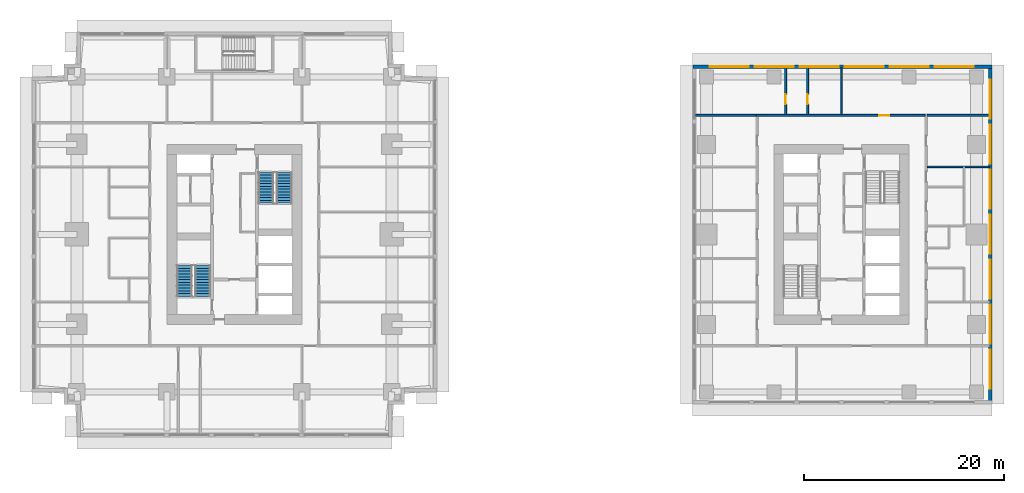
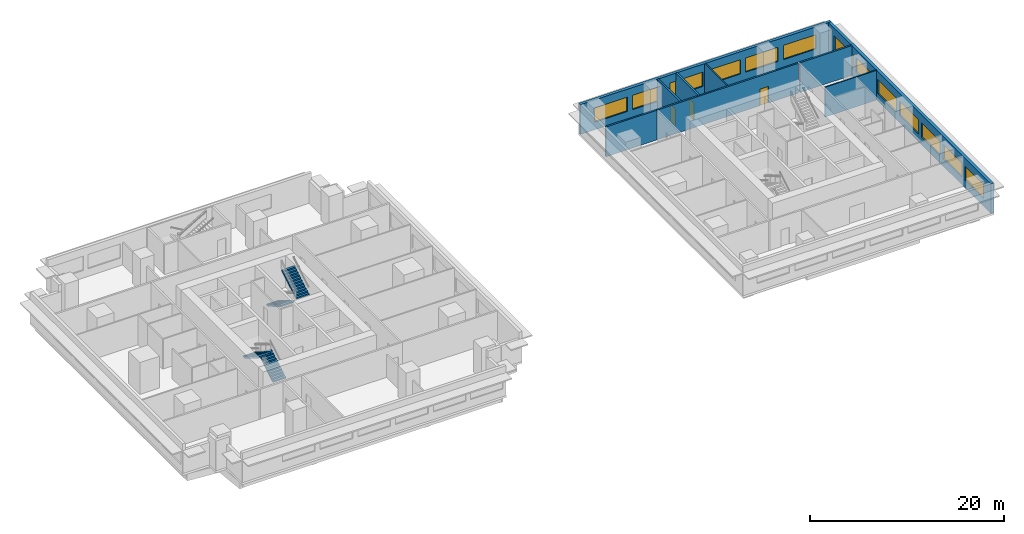
# One storey, part 8 of 11: 13 windows, 9 walls, 4 stair flights, 3 doors, 16 openings, 2 elements without a shape of their own.
"""IFC4 building model written with IfcOpenShell, lengths in metres."""

from ifc_helpers import new_model, si_unit, direction, frame, frame_2d, origin, place, context, subcontext, project, spatial, polyline, rectangle, outline, extrude, material, layer, layer_set, type_object, element, fill, aggregate, save


model = new_model("IFC4")

# Units and contexts
model_context = context("Model", 3, precision=1e-05, world=origin(), true_north=direction((0.0, 1.0)))
body_context = subcontext(model_context, "Body", "Model", "MODEL_VIEW")
ifc_project = project(units=[si_unit("LENGTHUNIT", "METRE"), si_unit("AREAUNIT", "SQUARE_METRE"), si_unit("VOLUMEUNIT", "CUBIC_METRE"), si_unit("PLANEANGLEUNIT", "RADIAN"), si_unit("MASSUNIT", "GRAM", prefix="KILO")], contexts=[model_context])

# Site, building, storey
site_placement = place(None, origin())
site = spatial("IfcSite", under=ifc_project, at=site_placement, CompositionType="ELEMENT")
building_placement = place(site_placement, origin())
building = spatial("IfcBuilding", under=site, at=building_placement, Name="Namib Vertical Campus", CompositionType="ELEMENT")
storey_placement = place(building_placement, frame((0.0, 0.0, 177.0)))
storey = spatial("IfcBuildingStorey", under=building, at=storey_placement, Name="L41", CompositionType="ELEMENT", Elevation=177.0)

# Wall, opening, door
ifc_material_1 = material(Name="Concrete masonry", Category="masonry")
ifc_layer_1 = layer(ifc_material_1, 0.199951171875)
ifc_layer_set_1 = layer_set([ifc_layer_1], Name="Corridor wall 200")
wall_type_1 = type_object("IfcWallType", Name="Corridor wall 200", PredefinedType="SOLIDWALL", material=ifc_layer_set_1)
wall_1_placement = place(storey_placement, frame((89.35009765625, 32.14990234375, 0.0), z_axis=(0.0, 0.0, 1.0), x_axis=(-1.0, 0.0, 0.0)))
wall_1 = element("IfcWall", 1, at=wall_1_placement, inside=storey, type_object=wall_type_1, Name="Corridor wall B L41 CN", PredefinedType="SOLIDWALL", context=body_context, shape_type="SweptSolid", body=[
    extrude(rectangle(XDim=16.900146484375, YDim=0.199951171875, at=frame_2d((8.4501953125, 0.0))), origin(), (0.0, 0.0, 1.0), 3.75),
])
opening_1_placement = place(wall_1_placement, frame((3.574951171875, 0.0, 0.0)))
opening_1 = element("IfcOpeningElement", 2, at=opening_1_placement, cuts=wall_1, Name="Opening CD1", PredefinedType="OPENING", context=body_context, shape_type="SweptSolid", body=[
    extrude(rectangle(XDim=1.0, YDim=2.10009765625, at=frame_2d((0.5, 1.050048828125))), frame((0.0, 0.10986328125, 0.0), z_axis=(0.0, -1.0, 0.0), x_axis=(1.0, 0.0, 0.0)), (0.0, 0.0, 1.0), 0.219970703125),
])
ifc_material_2 = material(Name="Timber fire door leaf", Category="wood")
door_type = type_object("IfcDoorType", Name="Corridor door 1000x2100 20 min", OperationType="SINGLE_SWING_LEFT", PredefinedType="DOOR", material=ifc_material_2)
door_1_placement = place(opening_1_placement, frame((1.0, 0.0, 0.0), z_axis=(0.0, 0.0, 1.0), x_axis=(-1.0, 0.0, 0.0)))
door_1 = element("IfcDoor", 3, at=door_1_placement, inside=storey, type_object=door_type, Name="Door CD1 B41-12", OperationType="SINGLE_SWING_LEFT", OverallHeight=2.10009765625, OverallWidth=1.0, PredefinedType="DOOR", context=body_context, shape_type="SweptSolid", body=[
    extrude(rectangle(XDim=1.0, YDim=2.10009765625, at=frame_2d((0.5, 1.050048828125))), frame((0.0, 0.02490234375, 0.0), z_axis=(0.0, -1.0, 0.0), x_axis=(1.0, 0.0, 0.0)), (0.0, 0.0, 1.0), 0.050048828125),
])
fill(opening_1, door_1)

wall_2_placement = place(storey_placement, frame((75.39990234375, 32.25, 0.0), z_axis=(0.0, 0.0, 1.0), x_axis=(0.0, 1.0, 0.0)))
wall_2 = element("IfcWall", 4, at=wall_2_placement, inside=storey, type_object=wall_type_1, Name="Corridor wall B L41 SPN1", PredefinedType="SOLIDWALL", context=body_context, shape_type="SweptSolid", body=[
    extrude(rectangle(XDim=4.64990234375, YDim=0.199951171875, at=frame_2d((2.324951171875, 0.0))), origin(), (0.0, 0.0, 1.0), 3.75),
])
opening_2_placement = place(wall_2_placement, frame((1.0, 0.0, 0.0)))
opening_2 = element("IfcOpeningElement", 5, at=opening_2_placement, cuts=wall_2, Name="Opening CD1", PredefinedType="OPENING", context=body_context, shape_type="SweptSolid", body=[
    extrude(rectangle(XDim=1.0, YDim=2.10009765625, at=frame_2d((0.5, 1.050048828125))), frame((0.0, 0.10986328125, 0.0), z_axis=(0.0, -1.0, 0.0), x_axis=(1.0, 0.0, 0.0)), (0.0, 0.0, 1.0), 0.219970703125),
])
door_2_placement = place(opening_2_placement, origin())
door_2 = element("IfcDoor", 6, at=door_2_placement, inside=storey, type_object=door_type, Name="Door CD1 B41-10", OperationType="SINGLE_SWING_LEFT", OverallHeight=2.10009765625, OverallWidth=1.0, PredefinedType="DOOR", context=body_context, shape_type="SweptSolid", body=[
    extrude(rectangle(XDim=1.0, YDim=2.10009765625, at=frame_2d((0.5, 1.050048828125))), frame((0.0, 0.02490234375, 0.0), z_axis=(0.0, -1.0, 0.0), x_axis=(1.0, 0.0, 0.0)), (0.0, 0.0, 1.0), 0.050048828125),
])
fill(opening_2, door_2)

wall_3_placement = place(storey_placement, frame((77.60009765625, 36.89990234375, 0.0), z_axis=(0.0, 0.0, 1.0), x_axis=(0.0, -1.0, 0.0)))
wall_3 = element("IfcWall", 7, at=wall_3_placement, inside=storey, type_object=wall_type_1, Name="Corridor wall B L41 SPN2", PredefinedType="SOLIDWALL", context=body_context, shape_type="SweptSolid", body=[
    extrude(rectangle(XDim=4.64990234375, YDim=0.199951171875, at=frame_2d((2.324951171875, 0.0))), origin(), (0.0, 0.0, 1.0), 3.75),
])
opening_3_placement = place(wall_3_placement, frame((2.64990234375, 0.0, 0.0)))
opening_3 = element("IfcOpeningElement", 8, at=opening_3_placement, cuts=wall_3, Name="Opening CD1", PredefinedType="OPENING", context=body_context, shape_type="SweptSolid", body=[
    extrude(rectangle(XDim=1.0, YDim=2.10009765625, at=frame_2d((0.5, 1.050048828125))), frame((0.0, 0.10986328125, 0.0), z_axis=(0.0, -1.0, 0.0), x_axis=(1.0, 0.0, 0.0)), (0.0, 0.0, 1.0), 0.219970703125),
])
door_3_placement = place(opening_3_placement, origin())
door_3 = element("IfcDoor", 9, at=door_3_placement, inside=storey, type_object=door_type, Name="Door CD1 B41-11", OperationType="SINGLE_SWING_RIGHT", OverallHeight=2.10009765625, OverallWidth=1.0, PredefinedType="DOOR", context=body_context, shape_type="SweptSolid", body=[
    extrude(rectangle(XDim=1.0, YDim=2.10009765625, at=frame_2d((0.5, 1.050048828125))), frame((0.0, 0.02490234375, 0.0), z_axis=(0.0, -1.0, 0.0), x_axis=(1.0, 0.0, 0.0)), (0.0, 0.0, 1.0), 0.050048828125),
])
fill(opening_3, door_3)

# Walls
wall_4_placement = place(storey_placement, frame((66.39990234375, 32.14990234375, 0.0), z_axis=(0.0, 0.0, 1.0), x_axis=(1.0, 0.0, 0.0)))
element("IfcWall", 10, at=wall_4_placement, inside=storey, type_object=wall_type_1, Name="Partition B L41 BNW", PredefinedType="SOLIDWALL", context=body_context, shape_type="SweptSolid", body=[
    extrude(rectangle(XDim=6.050048828125, YDim=0.199951171875, at=frame_2d((3.02490234375, 0.0))), origin(), (0.0, 0.0, 1.0), 3.75),
])
wall_5_placement = place(storey_placement, frame((89.550048828125, 32.14990234375, 0.0), z_axis=(0.0, 0.0, 1.0), x_axis=(1.0, 0.0, 0.0)))
element("IfcWall", 11, at=wall_5_placement, inside=storey, type_object=wall_type_1, Name="Partition B L41 BNE", PredefinedType="SOLIDWALL", context=body_context, shape_type="SweptSolid", body=[
    extrude(rectangle(XDim=6.199951171875, YDim=0.199951171875, at=frame_2d((3.10009765625, 0.0))), origin(), (0.0, 0.0, 1.0), 3.75),
])

# Wall, openings, windows
ifc_material_3 = material(Name="Concrete C40/50", Category="concrete")
ifc_layer_2 = layer(ifc_material_3, 0.35009765625)
ifc_layer_set_2 = layer_set([ifc_layer_2], Name="Concrete C40/50")
wall_type_2 = type_object("IfcWallType", Name="External wall 350 bush-hammered concrete", PredefinedType="STANDARD", material=ifc_layer_set_2)
wall_6_placement = place(storey_placement, frame((95.875, 3.320068359375, 0.0), z_axis=(0.0, 0.0, 1.0), x_axis=(0.0, 1.0, 0.0)))
wall_6 = element("IfcWall", 12, at=wall_6_placement, inside=storey, type_object=wall_type_2, Name="External wall L41 F02", PredefinedType="STANDARD", context=body_context, shape_type="SweptSolid", body=[
    extrude(rectangle(XDim=33.85986328125, YDim=0.35009765625, at=frame_2d((16.929931640625, 0.0))), origin(), (0.0, 0.0, 1.0), 3.75),
])
opening_4_placement = place(wall_6_placement, frame((1.47998046875, 0.0, 0.949951171875)))
opening_4 = element("IfcOpeningElement", 13, at=opening_4_placement, cuts=wall_6, Name="Opening W3", PredefinedType="OPENING", context=body_context, shape_type="SweptSolid", body=[
    extrude(rectangle(XDim=3.89990234375, YDim=1.800048828125, at=frame_2d((1.949951171875, 0.89990234375))), frame((0.0, 0.18505859375, 0.0), z_axis=(0.0, -1.0, 0.0), x_axis=(1.0, 0.0, 0.0)), (0.0, 0.0, 1.0), 0.3701171875),
])
opening_5_placement = place(wall_6_placement, frame((5.97998046875, 0.0, 0.949951171875)))
opening_5 = element("IfcOpeningElement", 14, at=opening_5_placement, cuts=wall_6, Name="Opening W3", PredefinedType="OPENING", context=body_context, shape_type="SweptSolid", body=[
    extrude(rectangle(XDim=3.89990234375, YDim=1.800048828125, at=frame_2d((1.949951171875, 0.89990234375))), frame((0.0, 0.18505859375, 0.0), z_axis=(0.0, -1.0, 0.0), x_axis=(1.0, 0.0, 0.0)), (0.0, 0.0, 1.0), 0.3701171875),
])
opening_6_placement = place(wall_6_placement, frame((10.47998046875, 0.0, 0.949951171875)))
opening_6 = element("IfcOpeningElement", 15, at=opening_6_placement, cuts=wall_6, Name="Opening W3", PredefinedType="OPENING", context=body_context, shape_type="SweptSolid", body=[
    extrude(rectangle(XDim=3.89990234375, YDim=1.800048828125, at=frame_2d((1.949951171875, 0.89990234375))), frame((0.0, 0.18505859375, 0.0), z_axis=(0.0, -1.0, 0.0), x_axis=(1.0, 0.0, 0.0)), (0.0, 0.0, 1.0), 0.3701171875),
])
opening_7_placement = place(wall_6_placement, frame((14.97998046875, 0.0, 0.949951171875)))
opening_7 = element("IfcOpeningElement", 16, at=opening_7_placement, cuts=wall_6, Name="Opening W3", PredefinedType="OPENING", context=body_context, shape_type="SweptSolid", body=[
    extrude(rectangle(XDim=3.89990234375, YDim=1.800048828125, at=frame_2d((1.949951171875, 0.89990234375))), frame((0.0, 0.18505859375, 0.0), z_axis=(0.0, -1.0, 0.0), x_axis=(1.0, 0.0, 0.0)), (0.0, 0.0, 1.0), 0.3701171875),
])
opening_8_placement = place(wall_6_placement, frame((19.47998046875, 0.0, 0.949951171875)))
opening_8 = element("IfcOpeningElement", 17, at=opening_8_placement, cuts=wall_6, Name="Opening W3", PredefinedType="OPENING", context=body_context, shape_type="SweptSolid", body=[
    extrude(rectangle(XDim=3.89990234375, YDim=1.800048828125, at=frame_2d((1.949951171875, 0.89990234375))), frame((0.0, 0.18505859375, 0.0), z_axis=(0.0, -1.0, 0.0), x_axis=(1.0, 0.0, 0.0)), (0.0, 0.0, 1.0), 0.3701171875),
])
opening_9_placement = place(wall_6_placement, frame((23.97998046875, 0.0, 0.949951171875)))
opening_9 = element("IfcOpeningElement", 18, at=opening_9_placement, cuts=wall_6, Name="Opening W3", PredefinedType="OPENING", context=body_context, shape_type="SweptSolid", body=[
    extrude(rectangle(XDim=3.89990234375, YDim=1.800048828125, at=frame_2d((1.949951171875, 0.89990234375))), frame((0.0, 0.18505859375, 0.0), z_axis=(0.0, -1.0, 0.0), x_axis=(1.0, 0.0, 0.0)), (0.0, 0.0, 1.0), 0.3701171875),
])
opening_10_placement = place(wall_6_placement, frame((28.47998046875, 0.0, 0.949951171875)))
opening_10 = element("IfcOpeningElement", 19, at=opening_10_placement, cuts=wall_6, Name="Opening W3", PredefinedType="OPENING", context=body_context, shape_type="SweptSolid", body=[
    extrude(rectangle(XDim=3.89990234375, YDim=1.800048828125, at=frame_2d((1.949951171875, 0.89990234375))), frame((0.0, 0.18505859375, 0.0), z_axis=(0.0, -1.0, 0.0), x_axis=(1.0, 0.0, 0.0)), (0.0, 0.0, 1.0), 0.3701171875),
])
ifc_material_4 = material(Name="Dark tinted glass in black aluminium frame", Category="aluminium")
window_type = type_object("IfcWindowType", Name="Ribbon window 3900x1800", PartitioningType="SINGLE_PANEL", PredefinedType="WINDOW", material=ifc_material_4)
window_1_placement = place(opening_4_placement, origin())
window_1 = element("IfcWindow", 20, at=window_1_placement, inside=storey, type_object=window_type, Name="Window W3 L41 F02-1", OverallHeight=1.800048828125, OverallWidth=3.89990234375, PartitioningType="SINGLE_PANEL", PredefinedType="WINDOW", context=body_context, shape_type="SweptSolid", body=[
    extrude(rectangle(XDim=3.89990234375, YDim=1.800048828125, at=frame_2d((1.949951171875, 0.89990234375))), frame((0.0, 0.030029296875, 0.0), z_axis=(0.0, -1.0, 0.0), x_axis=(1.0, 0.0, 0.0)), (0.0, 0.0, 1.0), 0.06005859375),
])
fill(opening_4, window_1)
window_2_placement = place(opening_5_placement, origin())
window_2 = element("IfcWindow", 21, at=window_2_placement, inside=storey, type_object=window_type, Name="Window W3 L41 F02-2", OverallHeight=1.800048828125, OverallWidth=3.89990234375, PartitioningType="SINGLE_PANEL", PredefinedType="WINDOW", context=body_context, shape_type="SweptSolid", body=[
    extrude(rectangle(XDim=3.89990234375, YDim=1.800048828125, at=frame_2d((1.949951171875, 0.89990234375))), frame((0.0, 0.030029296875, 0.0), z_axis=(0.0, -1.0, 0.0), x_axis=(1.0, 0.0, 0.0)), (0.0, 0.0, 1.0), 0.06005859375),
])
fill(opening_5, window_2)
window_3_placement = place(opening_6_placement, origin())
window_3 = element("IfcWindow", 22, at=window_3_placement, inside=storey, type_object=window_type, Name="Window W3 L41 F02-3", OverallHeight=1.800048828125, OverallWidth=3.89990234375, PartitioningType="SINGLE_PANEL", PredefinedType="WINDOW", context=body_context, shape_type="SweptSolid", body=[
    extrude(rectangle(XDim=3.89990234375, YDim=1.800048828125, at=frame_2d((1.949951171875, 0.89990234375))), frame((0.0, 0.030029296875, 0.0), z_axis=(0.0, -1.0, 0.0), x_axis=(1.0, 0.0, 0.0)), (0.0, 0.0, 1.0), 0.06005859375),
])
fill(opening_6, window_3)
window_4_placement = place(opening_7_placement, origin())
window_4 = element("IfcWindow", 23, at=window_4_placement, inside=storey, type_object=window_type, Name="Window W3 L41 F02-4", OverallHeight=1.800048828125, OverallWidth=3.89990234375, PartitioningType="SINGLE_PANEL", PredefinedType="WINDOW", context=body_context, shape_type="SweptSolid", body=[
    extrude(rectangle(XDim=3.89990234375, YDim=1.800048828125, at=frame_2d((1.949951171875, 0.89990234375))), frame((0.0, 0.030029296875, 0.0), z_axis=(0.0, -1.0, 0.0), x_axis=(1.0, 0.0, 0.0)), (0.0, 0.0, 1.0), 0.06005859375),
])
fill(opening_7, window_4)
window_5_placement = place(opening_8_placement, origin())
window_5 = element("IfcWindow", 24, at=window_5_placement, inside=storey, type_object=window_type, Name="Window W3 L41 F02-5", OverallHeight=1.800048828125, OverallWidth=3.89990234375, PartitioningType="SINGLE_PANEL", PredefinedType="WINDOW", context=body_context, shape_type="SweptSolid", body=[
    extrude(rectangle(XDim=3.89990234375, YDim=1.800048828125, at=frame_2d((1.949951171875, 0.89990234375))), frame((0.0, 0.030029296875, 0.0), z_axis=(0.0, -1.0, 0.0), x_axis=(1.0, 0.0, 0.0)), (0.0, 0.0, 1.0), 0.06005859375),
])
fill(opening_8, window_5)
window_6_placement = place(opening_9_placement, origin())
window_6 = element("IfcWindow", 25, at=window_6_placement, inside=storey, type_object=window_type, Name="Window W3 L41 F02-6", OverallHeight=1.800048828125, OverallWidth=3.89990234375, PartitioningType="SINGLE_PANEL", PredefinedType="WINDOW", context=body_context, shape_type="SweptSolid", body=[
    extrude(rectangle(XDim=3.89990234375, YDim=1.800048828125, at=frame_2d((1.949951171875, 0.89990234375))), frame((0.0, 0.030029296875, 0.0), z_axis=(0.0, -1.0, 0.0), x_axis=(1.0, 0.0, 0.0)), (0.0, 0.0, 1.0), 0.06005859375),
])
fill(opening_9, window_6)
window_7_placement = place(opening_10_placement, origin())
window_7 = element("IfcWindow", 26, at=window_7_placement, inside=storey, type_object=window_type, Name="Window W3 L41 F02-7", OverallHeight=1.800048828125, OverallWidth=3.89990234375, PartitioningType="SINGLE_PANEL", PredefinedType="WINDOW", context=body_context, shape_type="SweptSolid", body=[
    extrude(rectangle(XDim=3.89990234375, YDim=1.800048828125, at=frame_2d((1.949951171875, 0.89990234375))), frame((0.0, 0.030029296875, 0.0), z_axis=(0.0, -1.0, 0.0), x_axis=(1.0, 0.0, 0.0)), (0.0, 0.0, 1.0), 0.06005859375),
])
fill(opening_10, window_7)

wall_7_placement = place(storey_placement, frame((96.030029296875, 37.02490234375, 0.0), z_axis=(0.0, 0.0, 1.0), x_axis=(-1.0, 0.0, 0.0)))
wall_7 = element("IfcWall", 27, at=wall_7_placement, inside=storey, type_object=wall_type_2, Name="External wall L41 F03", PredefinedType="STANDARD", context=body_context, shape_type="SweptSolid", body=[
    extrude(rectangle(XDim=29.909912109375, YDim=0.35009765625, at=frame_2d((14.955078125, 0.0))), origin(), (0.0, 0.0, 1.0), 3.75),
])
opening_11_placement = place(wall_7_placement, frame((24.330078125, 0.0, 0.949951171875)))
opening_11 = element("IfcOpeningElement", 28, at=opening_11_placement, cuts=wall_7, Name="Opening W3", PredefinedType="OPENING", context=body_context, shape_type="SweptSolid", body=[
    extrude(rectangle(XDim=3.89990234375, YDim=1.800048828125, at=frame_2d((1.949951171875, 0.89990234375))), frame((0.0, 0.18505859375, 0.0), z_axis=(0.0, -1.0, 0.0), x_axis=(1.0, 0.0, 0.0)), (0.0, 0.0, 1.0), 0.3701171875),
])
opening_12_placement = place(wall_7_placement, frame((19.830078125, 0.0, 0.949951171875)))
opening_12 = element("IfcOpeningElement", 29, at=opening_12_placement, cuts=wall_7, Name="Opening W3", PredefinedType="OPENING", context=body_context, shape_type="SweptSolid", body=[
    extrude(rectangle(XDim=3.89990234375, YDim=1.800048828125, at=frame_2d((1.949951171875, 0.89990234375))), frame((0.0, 0.18505859375, 0.0), z_axis=(0.0, -1.0, 0.0), x_axis=(1.0, 0.0, 0.0)), (0.0, 0.0, 1.0), 0.3701171875),
])
opening_13_placement = place(wall_7_placement, frame((15.330078125, 0.0, 0.949951171875)))
opening_13 = element("IfcOpeningElement", 30, at=opening_13_placement, cuts=wall_7, Name="Opening W3", PredefinedType="OPENING", context=body_context, shape_type="SweptSolid", body=[
    extrude(rectangle(XDim=3.89990234375, YDim=1.800048828125, at=frame_2d((1.949951171875, 0.89990234375))), frame((0.0, 0.18505859375, 0.0), z_axis=(0.0, -1.0, 0.0), x_axis=(1.0, 0.0, 0.0)), (0.0, 0.0, 1.0), 0.3701171875),
])
opening_14_placement = place(wall_7_placement, frame((10.830078125, 0.0, 0.949951171875)))
opening_14 = element("IfcOpeningElement", 31, at=opening_14_placement, cuts=wall_7, Name="Opening W3", PredefinedType="OPENING", context=body_context, shape_type="SweptSolid", body=[
    extrude(rectangle(XDim=3.89990234375, YDim=1.800048828125, at=frame_2d((1.949951171875, 0.89990234375))), frame((0.0, 0.18505859375, 0.0), z_axis=(0.0, -1.0, 0.0), x_axis=(1.0, 0.0, 0.0)), (0.0, 0.0, 1.0), 0.3701171875),
])
opening_15_placement = place(wall_7_placement, frame((6.330078125, 0.0, 0.949951171875)))
opening_15 = element("IfcOpeningElement", 32, at=opening_15_placement, cuts=wall_7, Name="Opening W3", PredefinedType="OPENING", context=body_context, shape_type="SweptSolid", body=[
    extrude(rectangle(XDim=3.89990234375, YDim=1.800048828125, at=frame_2d((1.949951171875, 0.89990234375))), frame((0.0, 0.18505859375, 0.0), z_axis=(0.0, -1.0, 0.0), x_axis=(1.0, 0.0, 0.0)), (0.0, 0.0, 1.0), 0.3701171875),
])
opening_16_placement = place(wall_7_placement, frame((1.830078125, 0.0, 0.949951171875)))
opening_16 = element("IfcOpeningElement", 33, at=opening_16_placement, cuts=wall_7, Name="Opening W3", PredefinedType="OPENING", context=body_context, shape_type="SweptSolid", body=[
    extrude(rectangle(XDim=3.89990234375, YDim=1.800048828125, at=frame_2d((1.949951171875, 0.89990234375))), frame((0.0, 0.18505859375, 0.0), z_axis=(0.0, -1.0, 0.0), x_axis=(1.0, 0.0, 0.0)), (0.0, 0.0, 1.0), 0.3701171875),
])
window_8_placement = place(opening_11_placement, origin())
window_8 = element("IfcWindow", 34, at=window_8_placement, inside=storey, type_object=window_type, Name="Window W3 L41 F03-1", OverallHeight=1.800048828125, OverallWidth=3.89990234375, PartitioningType="SINGLE_PANEL", PredefinedType="WINDOW", context=body_context, shape_type="SweptSolid", body=[
    extrude(rectangle(XDim=3.89990234375, YDim=1.800048828125, at=frame_2d((1.949951171875, 0.89990234375))), frame((0.0, 0.030029296875, 0.0), z_axis=(0.0, -1.0, 0.0), x_axis=(1.0, 0.0, 0.0)), (0.0, 0.0, 1.0), 0.06005859375),
])
fill(opening_11, window_8)
window_9_placement = place(opening_12_placement, origin())
window_9 = element("IfcWindow", 35, at=window_9_placement, inside=storey, type_object=window_type, Name="Window W3 L41 F03-2", OverallHeight=1.800048828125, OverallWidth=3.89990234375, PartitioningType="SINGLE_PANEL", PredefinedType="WINDOW", context=body_context, shape_type="SweptSolid", body=[
    extrude(rectangle(XDim=3.89990234375, YDim=1.800048828125, at=frame_2d((1.949951171875, 0.89990234375))), frame((0.0, 0.030029296875, 0.0), z_axis=(0.0, -1.0, 0.0), x_axis=(1.0, 0.0, 0.0)), (0.0, 0.0, 1.0), 0.06005859375),
])
fill(opening_12, window_9)
window_10_placement = place(opening_13_placement, origin())
window_10 = element("IfcWindow", 36, at=window_10_placement, inside=storey, type_object=window_type, Name="Window W3 L41 F03-3", OverallHeight=1.800048828125, OverallWidth=3.89990234375, PartitioningType="SINGLE_PANEL", PredefinedType="WINDOW", context=body_context, shape_type="SweptSolid", body=[
    extrude(rectangle(XDim=3.89990234375, YDim=1.800048828125, at=frame_2d((1.949951171875, 0.89990234375))), frame((0.0, 0.030029296875, 0.0), z_axis=(0.0, -1.0, 0.0), x_axis=(1.0, 0.0, 0.0)), (0.0, 0.0, 1.0), 0.06005859375),
])
fill(opening_13, window_10)
window_11_placement = place(opening_14_placement, origin())
window_11 = element("IfcWindow", 37, at=window_11_placement, inside=storey, type_object=window_type, Name="Window W3 L41 F03-4", OverallHeight=1.800048828125, OverallWidth=3.89990234375, PartitioningType="SINGLE_PANEL", PredefinedType="WINDOW", context=body_context, shape_type="SweptSolid", body=[
    extrude(rectangle(XDim=3.89990234375, YDim=1.800048828125, at=frame_2d((1.949951171875, 0.89990234375))), frame((0.0, 0.030029296875, 0.0), z_axis=(0.0, -1.0, 0.0), x_axis=(1.0, 0.0, 0.0)), (0.0, 0.0, 1.0), 0.06005859375),
])
fill(opening_14, window_11)
window_12_placement = place(opening_15_placement, origin())
window_12 = element("IfcWindow", 38, at=window_12_placement, inside=storey, type_object=window_type, Name="Window W3 L41 F03-5", OverallHeight=1.800048828125, OverallWidth=3.89990234375, PartitioningType="SINGLE_PANEL", PredefinedType="WINDOW", context=body_context, shape_type="SweptSolid", body=[
    extrude(rectangle(XDim=3.89990234375, YDim=1.800048828125, at=frame_2d((1.949951171875, 0.89990234375))), frame((0.0, 0.030029296875, 0.0), z_axis=(0.0, -1.0, 0.0), x_axis=(1.0, 0.0, 0.0)), (0.0, 0.0, 1.0), 0.06005859375),
])
fill(opening_15, window_12)
window_13_placement = place(opening_16_placement, origin())
window_13 = element("IfcWindow", 39, at=window_13_placement, inside=storey, type_object=window_type, Name="Window W3 L41 F03-6", OverallHeight=1.800048828125, OverallWidth=3.89990234375, PartitioningType="SINGLE_PANEL", PredefinedType="WINDOW", context=body_context, shape_type="SweptSolid", body=[
    extrude(rectangle(XDim=3.89990234375, YDim=1.800048828125, at=frame_2d((1.949951171875, 0.89990234375))), frame((0.0, 0.030029296875, 0.0), z_axis=(0.0, -1.0, 0.0), x_axis=(1.0, 0.0, 0.0)), (0.0, 0.0, 1.0), 0.06005859375),
])
fill(opening_16, window_13)

# Walls
ifc_material_5 = material(Name="Gypsum board on steel studs", Category="steel")
ifc_layer_3 = layer(ifc_material_5, 0.14990234375)
ifc_layer_set_3 = layer_set([ifc_layer_3], Name="Gypsum board on steel studs")
wall_type_3 = type_object("IfcWallType", Name="Partition 150", PredefinedType="PARTITIONING", material=ifc_layer_set_3)
wall_8_placement = place(storey_placement, frame((81.0, 32.25, 0.0), z_axis=(0.0, 0.0, 1.0), x_axis=(0.0, 1.0, 0.0)))
element("IfcWall", 40, at=wall_8_placement, inside=storey, type_object=wall_type_3, Name="Partition B L41 PN3", PredefinedType="PARTITIONING", context=body_context, shape_type="SweptSolid", body=[
    extrude(rectangle(XDim=4.64990234375, YDim=0.14990234375, at=frame_2d((2.324951171875, 0.0))), origin(), (0.0, 0.0, 1.0), 3.75),
])
wall_9_placement = place(storey_placement, frame((89.550048828125, 27.0, 0.0), z_axis=(0.0, 0.0, 1.0), x_axis=(1.0, 0.0, 0.0)))
element("IfcWall", 41, at=wall_9_placement, inside=storey, type_object=wall_type_3, Name="Partition B L41 PE2", PredefinedType="PARTITIONING", context=body_context, shape_type="SweptSolid", body=[
    extrude(rectangle(XDim=6.199951171875, YDim=0.14990234375, at=frame_2d((3.10009765625, 0.0))), origin(), (0.0, 0.0, 1.0), 3.75),
])

# Stair, stair flights
ifc_material_6 = material(Name="Concrete C40/50 precast", Category="concrete")
stair_type = type_object("IfcStairType", Name="Exit stair 4000 rise 24 risers 3350 wide", PredefinedType="HALF_TURN_STAIR", material=ifc_material_6)
stair_1_placement = place(storey_placement, origin())
stair_1 = element("IfcStair", 42, at=stair_1_placement, inside=storey, type_object=stair_type, Name="Exit stair A-S1 L41", PredefinedType="HALF_TURN_STAIR")
ifc_material_7 = material(Name="Concrete C40/50 precast", Category="concrete")
stair_flight_type = type_object("IfcStairFlightType", Name="Stair flight 12 risers 167 1525 wide", PredefinedType="STRAIGHT", material=ifc_material_7)
stair_flight_1_placement = place(storey_placement, frame((17.08740234375, 14.050048828125, 0.0), z_axis=(0.0, 0.0, 1.0), x_axis=(0.0, 1.0, 0.0)))
stair_flight_1 = element("IfcStairFlight", 43, at=stair_flight_1_placement, type_object=stair_flight_type, Name="A-S1 flight 1", NumberOfRisers=12, NumberOfTreads=11, PredefinedType="STRAIGHT", RiserHeight=0.166666667, TreadLength=0.28, context=body_context, shape_type="SweptSolid", body=[
    extrude(outline(polyline([(0.0, 0.0), (0.0, 0.166748046875), (0.280029296875, 0.166748046875), (0.280029296875, 0.333251953125), (0.56005859375, 0.333251953125), (0.56005859375, 0.5), (0.840087890625, 0.5), (0.840087890625, 0.666748046875), (1.1201171875, 0.666748046875), (1.1201171875, 0.833251953125), (1.39990234375, 0.833251953125), (1.39990234375, 1.0), (1.679931640625, 1.0), (1.679931640625, 1.166748046875), (1.9599609375, 1.166748046875), (1.9599609375, 1.333251953125), (2.239990234375, 1.333251953125), (2.239990234375, 1.5), (2.52001953125, 1.5), (2.52001953125, 1.666748046875), (2.800048828125, 1.666748046875), (2.800048828125, 1.833251953125), (3.080078125, 1.833251953125), (3.080078125, 2.0), (3.080078125, 1.658935546875), (0.29296875, 0.0), (0.0, 0.0)])), frame((0.0, 0.762451171875, 0.0), z_axis=(0.0, -1.0, 0.0), x_axis=(1.0, 0.0, 0.0)), (0.0, 0.0, 1.0), 1.52490234375),
])
stair_flight_2_placement = place(storey_placement, frame((15.262451171875, 17.1298828125, 2.0), z_axis=(0.0, 0.0, 1.0), x_axis=(0.0, -1.0, 0.0)))
stair_flight_2 = element("IfcStairFlight", 44, at=stair_flight_2_placement, type_object=stair_flight_type, Name="A-S1 flight 2", NumberOfRisers=12, NumberOfTreads=11, PredefinedType="STRAIGHT", RiserHeight=0.166666667, TreadLength=0.28, context=body_context, shape_type="SweptSolid", body=[
    extrude(outline(polyline([(0.0, 0.0), (0.0, 0.166748046875), (0.280029296875, 0.166748046875), (0.280029296875, 0.333251953125), (0.56005859375, 0.333251953125), (0.56005859375, 0.5), (0.840087890625, 0.5), (0.840087890625, 0.666748046875), (1.1201171875, 0.666748046875), (1.1201171875, 0.833251953125), (1.39990234375, 0.833251953125), (1.39990234375, 1.0), (1.679931640625, 1.0), (1.679931640625, 1.166748046875), (1.9599609375, 1.166748046875), (1.9599609375, 1.333251953125), (2.239990234375, 1.333251953125), (2.239990234375, 1.5), (2.52001953125, 1.5), (2.52001953125, 1.666748046875), (2.800048828125, 1.666748046875), (2.800048828125, 1.833251953125), (3.080078125, 1.833251953125), (3.080078125, 2.0), (3.080078125, 1.658935546875), (0.29296875, 0.0), (0.0, 0.0)])), frame((0.0, 0.762451171875, 0.0), z_axis=(0.0, -1.0, 0.0), x_axis=(1.0, 0.0, 0.0)), (0.0, 0.0, 1.0), 1.52490234375),
])
aggregate(stair_1, [stair_flight_1, stair_flight_2])

stair_2_placement = place(storey_placement, origin())
stair_2 = element("IfcStair", 45, at=stair_2_placement, inside=storey, type_object=stair_type, Name="Exit stair A-S2 L41", PredefinedType="HALF_TURN_STAIR")
stair_flight_3_placement = place(storey_placement, frame((23.41259765625, 26.449951171875, 0.0), z_axis=(0.0, 0.0, 1.0), x_axis=(0.0, -1.0, 0.0)))
stair_flight_3 = element("IfcStairFlight", 46, at=stair_flight_3_placement, type_object=stair_flight_type, Name="A-S2 flight 1", NumberOfRisers=12, NumberOfTreads=11, PredefinedType="STRAIGHT", RiserHeight=0.166666667, TreadLength=0.28, context=body_context, shape_type="SweptSolid", body=[
    extrude(outline(polyline([(0.0, 0.0), (0.0, 0.166748046875), (0.280029296875, 0.166748046875), (0.280029296875, 0.333251953125), (0.56005859375, 0.333251953125), (0.56005859375, 0.5), (0.840087890625, 0.5), (0.840087890625, 0.666748046875), (1.1201171875, 0.666748046875), (1.1201171875, 0.833251953125), (1.39990234375, 0.833251953125), (1.39990234375, 1.0), (1.679931640625, 1.0), (1.679931640625, 1.166748046875), (1.9599609375, 1.166748046875), (1.9599609375, 1.333251953125), (2.239990234375, 1.333251953125), (2.239990234375, 1.5), (2.52001953125, 1.5), (2.52001953125, 1.666748046875), (2.800048828125, 1.666748046875), (2.800048828125, 1.833251953125), (3.080078125, 1.833251953125), (3.080078125, 2.0), (3.080078125, 1.658935546875), (0.29296875, 0.0), (0.0, 0.0)])), frame((0.0, 0.762451171875, 0.0), z_axis=(0.0, -1.0, 0.0), x_axis=(1.0, 0.0, 0.0)), (0.0, 0.0, 1.0), 1.52490234375),
])
stair_flight_4_placement = place(storey_placement, frame((25.237548828125, 23.3701171875, 2.0), z_axis=(0.0, 0.0, 1.0), x_axis=(0.0, 1.0, 0.0)))
stair_flight_4 = element("IfcStairFlight", 47, at=stair_flight_4_placement, type_object=stair_flight_type, Name="A-S2 flight 2", NumberOfRisers=12, NumberOfTreads=11, PredefinedType="STRAIGHT", RiserHeight=0.166666667, TreadLength=0.28, context=body_context, shape_type="SweptSolid", body=[
    extrude(outline(polyline([(0.0, 0.0), (0.0, 0.166748046875), (0.280029296875, 0.166748046875), (0.280029296875, 0.333251953125), (0.56005859375, 0.333251953125), (0.56005859375, 0.5), (0.840087890625, 0.5), (0.840087890625, 0.666748046875), (1.1201171875, 0.666748046875), (1.1201171875, 0.833251953125), (1.39990234375, 0.833251953125), (1.39990234375, 1.0), (1.679931640625, 1.0), (1.679931640625, 1.166748046875), (1.9599609375, 1.166748046875), (1.9599609375, 1.333251953125), (2.239990234375, 1.333251953125), (2.239990234375, 1.5), (2.52001953125, 1.5), (2.52001953125, 1.666748046875), (2.800048828125, 1.666748046875), (2.800048828125, 1.833251953125), (3.080078125, 1.833251953125), (3.080078125, 2.0), (3.080078125, 1.658935546875), (0.29296875, 0.0), (0.0, 0.0)])), frame((0.0, 0.762451171875, 0.0), z_axis=(0.0, -1.0, 0.0), x_axis=(1.0, 0.0, 0.0)), (0.0, 0.0, 1.0), 1.52490234375),
])
aggregate(stair_2, [stair_flight_3, stair_flight_4])

save(model, "model.ifc")
